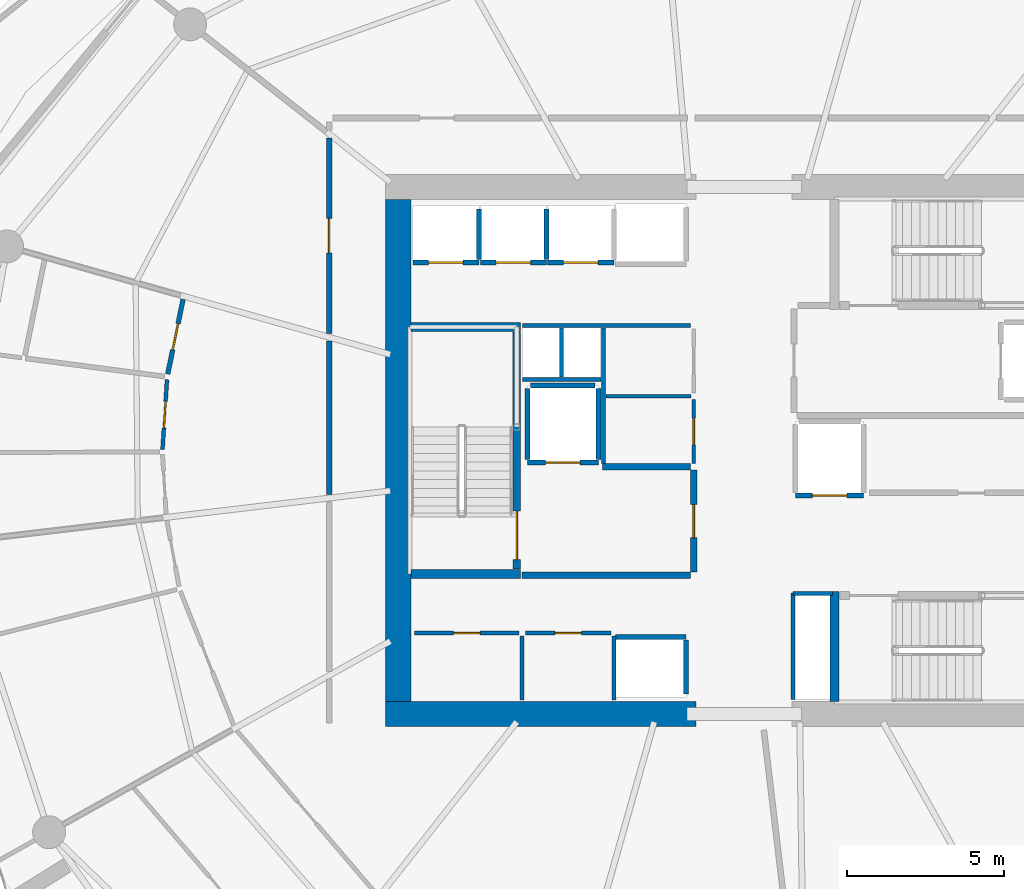
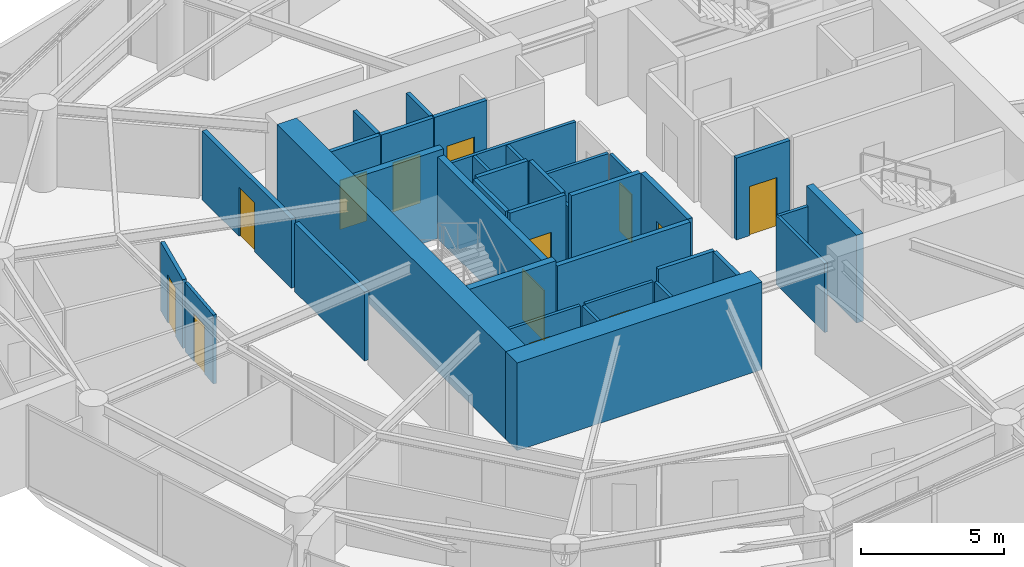
# One storey, part 12 of 20: 37 walls, 13 doors, 13 openings.
"""IFC4 building model written with IfcOpenShell, lengths in metres."""

from ifc_helpers import new_model, si_unit, direction, frame, frame_2d, origin, place, context, subcontext, project, spatial, rectangle, extrude, material, layer, layer_set, type_object, element, fill, save


model = new_model("IFC4")

# Units and contexts
model_context = context("Model", 3, precision=1e-05, world=origin(), true_north=direction((0.0, 1.0)))
body_context = subcontext(model_context, "Body", "Model", "MODEL_VIEW")
ifc_project = project(units=[si_unit("LENGTHUNIT", "METRE"), si_unit("AREAUNIT", "SQUARE_METRE"), si_unit("VOLUMEUNIT", "CUBIC_METRE"), si_unit("PLANEANGLEUNIT", "RADIAN"), si_unit("MASSUNIT", "GRAM", prefix="KILO")], contexts=[model_context])

# Site, building, storey
site_placement = place(None, origin())
site = spatial("IfcSite", under=ifc_project, at=site_placement, CompositionType="ELEMENT")
building_placement = place(site_placement, origin())
building = spatial("IfcBuilding", under=site, at=building_placement, Name="Kazma Halo Residences", CompositionType="ELEMENT")
storey_placement = place(building_placement, frame((0.0, 0.0, 142.800048828125)))
storey = spatial("IfcBuildingStorey", under=building, at=storey_placement, Name="L35", CompositionType="ELEMENT", Elevation=142.800048828125)

# Walls
ifc_material_1 = material(Name="Concrete C80/95", Category="concrete")
ifc_layer_1 = layer(ifc_material_1, 0.800048828125)
ifc_layer_set_1 = layer_set([ifc_layer_1], Name="Concrete C80/95")
wall_type_1 = type_object("IfcWallType", Name="WL-CORE-800", PredefinedType="SHEAR", material=ifc_layer_set_1)
wall_1_placement = place(storey_placement, frame((37.0, 33.60009765625, 0.0), z_axis=(0.0, 0.0, 1.0), x_axis=(1.0, 0.0, 0.0)))
element("IfcWall", 1, at=wall_1_placement, inside=storey, type_object=wall_type_1, Name="L35 central core shear wall SW", PredefinedType="SHEAR", context=body_context, shape_type="SweptSolid", body=[
    extrude(rectangle(XDim=9.89990234375, YDim=0.800048828125, at=frame_2d((4.949951171875, 0.0))), origin(), (0.0, 0.0, 1.0), 3.75),
])
wall_2_placement = place(storey_placement, frame((37.39990234375, 34.0, 0.0), z_axis=(0.0, 0.0, 1.0), x_axis=(0.0, 1.0, 0.0)))
element("IfcWall", 2, at=wall_2_placement, inside=storey, type_object=wall_type_1, Name="L35 central core shear wall W", PredefinedType="SHEAR", context=body_context, shape_type="SweptSolid", body=[
    extrude(rectangle(XDim=16.0, YDim=0.800048828125, at=frame_2d((8.0, 0.0))), origin(), (0.0, 0.0, 1.0), 3.75),
])
ifc_material_2 = material(Name="Concrete C60/75", Category="concrete")
ifc_layer_2 = layer(ifc_material_2, 0.280029296875)
ifc_layer_set_2 = layer_set([ifc_layer_2], Name="Concrete C60/75")
wall_type_2 = type_object("IfcWallType", Name="WL-CORE-ST-280", PredefinedType="SHEAR", material=ifc_layer_set_2)
for number, where, z_axis, x_axis, name in (
    (3, (37.800048828125, 38.06005859375, 0.0), (0.0, 0.0, 1.0), (1.0, 0.0, 0.0), "L35 stairwell bearing wall ST01-S"),
    (4, (37.800048828125, 45.93994140625, 0.0), (0.0, 0.0, 1.0), (1.0, 0.0, 0.0), "L35 stairwell bearing wall ST01-N"),
    (5, (51.31005859375, 34.0, 0.0), (0.0, 0.0, 1.0), (0.0, 1.0, 0.0), "L35 stairwell bearing wall ST03-W"),
):
    element("IfcWall", number, at=place(storey_placement, frame(where, z_axis=z_axis, x_axis=x_axis)), inside=storey, type_object=wall_type_2, Name=name, PredefinedType="SHEAR", context=body_context, shape_type="SweptSolid", body=[
        extrude(rectangle(XDim=3.5, YDim=0.280029296875, at=frame_2d((1.75, 0.0))), origin(), (0.0, 0.0, 1.0), 3.75),
    ])

# Wall, opening, door
ifc_material_3 = material(Name="Acoustic Twin-Stud Gypsum")
ifc_layer_3 = layer(ifc_material_3, 0.179931640625)
ifc_layer_set_3 = layer_set([ifc_layer_3], Name="Acoustic Twin-Stud Gypsum")
wall_type_3 = type_object("IfcWallType", Name="WL-DEM-180", PredefinedType="PARTITIONING", material=ifc_layer_set_3)
wall_3_placement = place(storey_placement, frame((35.199951171875, 51.970703125, 0.0), z_axis=(0.0, 0.0, 1.0), x_axis=(0.0, -1.0, 0.0)))
wall_3 = element("IfcWall", 6, at=wall_3_placement, inside=storey, type_object=wall_type_3, Name="L35 Apartment 1 entrance corridor wall", PredefinedType="PARTITIONING", context=body_context, shape_type="SweptSolid", body=[
    extrude(rectangle(XDim=6.24072265625, YDim=0.179931640625, at=frame_2d((3.120361328125, 0.0))), origin(), (0.0, 0.0, 1.0), 2.93994140625),
])
opening_1_placement = place(wall_3_placement, frame((2.5703125, 0.0, 0.0)))
opening_1 = element("IfcOpeningElement", 7, at=opening_1_placement, cuts=wall_3, Name="Opening DA-1100", PredefinedType="OPENING", context=body_context, shape_type="SweptSolid", body=[
    extrude(rectangle(XDim=1.10009765625, YDim=2.10009765625, at=frame_2d((0.550048828125, 1.050048828125))), frame((0.0, 0.099853515625, 0.0), z_axis=(0.0, -1.0, 0.0), x_axis=(1.0, 0.0, 0.0)), (0.0, 0.0, 1.0), 0.199951171875),
])
ifc_material_4 = material(Name="Acoustic Walnut Fire Leaf")
door_type_1 = type_object("IfcDoorType", Name="DR-FD60-1100", OperationType="NOTDEFINED", PredefinedType="DOOR", material=ifc_material_4)
door_1_placement = place(opening_1_placement, origin())
door_1 = element("IfcDoor", 8, at=door_1_placement, inside=storey, type_object=door_type_1, Name="L35 Apartment 1 entrance fire door", OperationType="SINGLE_SWING_LEFT", OverallHeight=2.10009765625, OverallWidth=1.10009765625, PredefinedType="DOOR", context=body_context, shape_type="SweptSolid", body=[
    extrude(rectangle(XDim=1.10009765625, YDim=2.10009765625, at=frame_2d((0.550048828125, 1.050048828125))), frame((0.0, 0.02490234375, 0.0), z_axis=(0.0, -1.0, 0.0), x_axis=(1.0, 0.0, 0.0)), (0.0, 0.0, 1.0), 0.050048828125),
])
fill(opening_1, door_1)

# Wall
wall_4_placement = place(storey_placement, frame((35.199951171875, 45.489990234375, 0.0), z_axis=(0.0, 0.0, 1.0), x_axis=(0.0, -1.0, 0.0)))
element("IfcWall", 9, at=wall_4_placement, inside=storey, type_object=wall_type_3, Name="L35 Apartment 1 inner wall 6", PredefinedType="PARTITIONING", context=body_context, shape_type="SweptSolid", body=[
    extrude(rectangle(XDim=4.885009765625, YDim=0.179931640625, at=frame_2d((2.4423828125, 0.0))), origin(), (0.0, 0.0, 1.0), 2.93994140625),
])

# Wall, opening, door
ifc_material_5 = material(Name="Fire-Rated Blockwork Masonry", Category="masonry")
ifc_layer_4 = layer(ifc_material_5, 0.199951171875)
ifc_layer_set_4 = layer_set([ifc_layer_4], Name="Fire-Rated Blockwork Masonry")
wall_type_4 = type_object("IfcWallType", Name="WL-FLB-200", PredefinedType="PARTITIONING", material=ifc_layer_set_4)
wall_5_placement = place(storey_placement, frame((39.97509765625, 47.9951171875, 0.0), z_axis=(0.0, 0.0, 1.0), x_axis=(-1.0, 0.0, 0.0)))
wall_5 = element("IfcWall", 10, at=wall_5_placement, inside=storey, type_object=wall_type_4, Name="L35 lift shaft PM-01 front wall", PredefinedType="PARTITIONING", context=body_context, shape_type="SweptSolid", body=[
    extrude(rectangle(XDim=2.110107421875, YDim=0.159912109375, at=frame_2d((1.05517578125, 0.0))), origin(), (0.0, 0.0, 1.0), 3.5),
])
opening_2_placement = place(wall_5_placement, frame((0.5048828125, 0.0, 0.0)))
opening_2 = element("IfcOpeningElement", 11, at=opening_2_placement, cuts=wall_5, Name="Opening LD-PM-01", PredefinedType="OPENING", context=body_context, shape_type="SweptSolid", body=[
    extrude(rectangle(XDim=1.10009765625, YDim=2.10009765625, at=frame_2d((0.550048828125, 1.050048828125))), frame((0.0, 0.08984375, 0.0), z_axis=(0.0, -1.0, 0.0), x_axis=(1.0, 0.0, 0.0)), (0.0, 0.0, 1.0), 0.179931640625),
])
ifc_material_6 = material(Name="Stainless Steel Fire-Rated", Category="steel")
door_type_2 = type_object("IfcDoorType", Name="DR-LIFT-SLD-1100", OperationType="DOUBLE_DOOR_SLIDING", PredefinedType="DOOR", material=ifc_material_6)
door_2_placement = place(opening_2_placement, origin())
door_2 = element("IfcDoor", 12, at=door_2_placement, inside=storey, type_object=door_type_2, Name="L35 lift PM-01 sliding landing door", OperationType="DOUBLE_DOOR_SLIDING", OverallHeight=2.10009765625, OverallWidth=1.10009765625, PredefinedType="DOOR", context=body_context, shape_type="SweptSolid", body=[
    extrude(rectangle(XDim=1.10009765625, YDim=2.10009765625, at=frame_2d((0.550048828125, 1.050048828125))), frame((0.0, 0.02490234375, 0.0), z_axis=(0.0, -1.0, 0.0), x_axis=(1.0, 0.0, 0.0)), (0.0, 0.0, 1.0), 0.050048828125),
])
fill(opening_2, door_2)

# Wall
wall_6_placement = place(storey_placement, frame((39.97509765625, 48.094970703125, 0.0), z_axis=(0.0, 0.0, 1.0), x_axis=(0.0, 1.0, 0.0)))
element("IfcWall", 13, at=wall_6_placement, inside=storey, type_object=wall_type_4, Name="L35 lift shaft PM-01 side wall E", PredefinedType="PARTITIONING", context=body_context, shape_type="SweptSolid", body=[
    extrude(rectangle(XDim=1.610107421875, YDim=0.159912109375, at=frame_2d((0.80517578125, 0.0))), origin(), (0.0, 0.0, 1.0), 3.5),
])

# Wall, opening, door
wall_7_placement = place(storey_placement, frame((42.125, 47.9951171875, 0.0), z_axis=(0.0, 0.0, 1.0), x_axis=(-1.0, 0.0, 0.0)))
wall_7 = element("IfcWall", 14, at=wall_7_placement, inside=storey, type_object=wall_type_4, Name="L35 lift shaft PM-02 front wall", PredefinedType="PARTITIONING", context=body_context, shape_type="SweptSolid", body=[
    extrude(rectangle(XDim=2.110107421875, YDim=0.159912109375, at=frame_2d((1.05517578125, 0.0))), origin(), (0.0, 0.0, 1.0), 3.5),
])
opening_3_placement = place(wall_7_placement, frame((0.5048828125, 0.0, 0.0)))
opening_3 = element("IfcOpeningElement", 15, at=opening_3_placement, cuts=wall_7, Name="Opening LD-PM-02", PredefinedType="OPENING", context=body_context, shape_type="SweptSolid", body=[
    extrude(rectangle(XDim=1.10009765625, YDim=2.10009765625, at=frame_2d((0.550048828125, 1.050048828125))), frame((0.0, 0.08984375, 0.0), z_axis=(0.0, -1.0, 0.0), x_axis=(1.0, 0.0, 0.0)), (0.0, 0.0, 1.0), 0.179931640625),
])
door_3_placement = place(opening_3_placement, origin())
door_3 = element("IfcDoor", 16, at=door_3_placement, inside=storey, type_object=door_type_2, Name="L35 lift PM-02 sliding landing door", OperationType="DOUBLE_DOOR_SLIDING", OverallHeight=2.10009765625, OverallWidth=1.10009765625, PredefinedType="DOOR", context=body_context, shape_type="SweptSolid", body=[
    extrude(rectangle(XDim=1.10009765625, YDim=2.10009765625, at=frame_2d((0.550048828125, 1.050048828125))), frame((0.0, 0.02490234375, 0.0), z_axis=(0.0, -1.0, 0.0), x_axis=(1.0, 0.0, 0.0)), (0.0, 0.0, 1.0), 0.050048828125),
])
fill(opening_3, door_3)

# Wall
wall_8_placement = place(storey_placement, frame((42.125, 48.094970703125, 0.0), z_axis=(0.0, 0.0, 1.0), x_axis=(0.0, 1.0, 0.0)))
element("IfcWall", 17, at=wall_8_placement, inside=storey, type_object=wall_type_4, Name="L35 lift shaft PM-02 side wall E", PredefinedType="PARTITIONING", context=body_context, shape_type="SweptSolid", body=[
    extrude(rectangle(XDim=1.610107421875, YDim=0.159912109375, at=frame_2d((0.80517578125, 0.0))), origin(), (0.0, 0.0, 1.0), 3.5),
])

# Wall, opening, door
wall_9_placement = place(storey_placement, frame((44.27490234375, 47.9951171875, 0.0), z_axis=(0.0, 0.0, 1.0), x_axis=(-1.0, 0.0, 0.0)))
wall_9 = element("IfcWall", 18, at=wall_9_placement, inside=storey, type_object=wall_type_4, Name="L35 lift shaft PM-03 front wall", PredefinedType="PARTITIONING", context=body_context, shape_type="SweptSolid", body=[
    extrude(rectangle(XDim=2.10986328125, YDim=0.159912109375, at=frame_2d((1.054931640625, 0.0))), origin(), (0.0, 0.0, 1.0), 3.5),
])
opening_4_placement = place(wall_9_placement, frame((0.5048828125, 0.0, 0.0)))
opening_4 = element("IfcOpeningElement", 19, at=opening_4_placement, cuts=wall_9, Name="Opening LD-PM-03", PredefinedType="OPENING", context=body_context, shape_type="SweptSolid", body=[
    extrude(rectangle(XDim=1.10009765625, YDim=2.10009765625, at=frame_2d((0.550048828125, 1.050048828125))), frame((0.0, 0.08984375, 0.0), z_axis=(0.0, -1.0, 0.0), x_axis=(1.0, 0.0, 0.0)), (0.0, 0.0, 1.0), 0.179931640625),
])
door_4_placement = place(opening_4_placement, origin())
door_4 = element("IfcDoor", 20, at=door_4_placement, inside=storey, type_object=door_type_2, Name="L35 lift PM-03 sliding landing door", OperationType="DOUBLE_DOOR_SLIDING", OverallHeight=2.10009765625, OverallWidth=1.10009765625, PredefinedType="DOOR", context=body_context, shape_type="SweptSolid", body=[
    extrude(rectangle(XDim=1.10009765625, YDim=2.10009765625, at=frame_2d((0.550048828125, 1.050048828125))), frame((0.0, 0.02490234375, 0.0), z_axis=(0.0, -1.0, 0.0), x_axis=(1.0, 0.0, 0.0)), (0.0, 0.0, 1.0), 0.050048828125),
])
fill(opening_4, door_4)

# Walls
wall_10_placement = place(storey_placement, frame((44.320068359375, 36.054931640625, 0.0), z_axis=(0.0, 0.0, 1.0), x_axis=(1.0, 0.0, 0.0)))
element("IfcWall", 21, at=wall_10_placement, inside=storey, type_object=wall_type_4, Name="L35 lift shaft PX-02 front wall", PredefinedType="PARTITIONING", context=body_context, shape_type="SweptSolid", body=[
    extrude(rectangle(XDim=2.260009765625, YDim=0.159912109375, at=frame_2d((1.1298828125, 0.0))), origin(), (0.0, 0.0, 1.0), 3.5),
])
wall_11_placement = place(storey_placement, frame((46.580078125, 34.2451171875, 0.0), z_axis=(0.0, 0.0, 1.0), x_axis=(0.0, 1.0, 0.0)))
element("IfcWall", 22, at=wall_11_placement, inside=storey, type_object=wall_type_4, Name="L35 lift shaft PX-02 side wall E", PredefinedType="PARTITIONING", context=body_context, shape_type="SweptSolid", body=[
    extrude(rectangle(XDim=1.7099609375, YDim=0.159912109375, at=frame_2d((0.85498046875, 0.0))), origin(), (0.0, 0.0, 1.0), 3.5),
])

# Wall, opening, door
wall_12_placement = place(storey_placement, frame((43.780029296875, 41.6201171875, 0.0), z_axis=(0.0, 0.0, 1.0), x_axis=(-1.0, 0.0, 0.0)))
wall_12 = element("IfcWall", 23, at=wall_12_placement, inside=storey, type_object=wall_type_4, Name="L35 lift shaft FL-01 front wall", PredefinedType="PARTITIONING", context=body_context, shape_type="SweptSolid", body=[
    extrude(rectangle(XDim=2.260009765625, YDim=0.159912109375, at=frame_2d((1.1298828125, 0.0))), origin(), (0.0, 0.0, 1.0), 3.5),
])
opening_5_placement = place(wall_12_placement, frame((0.580078125, 0.0, 0.0)))
opening_5 = element("IfcOpeningElement", 24, at=opening_5_placement, cuts=wall_12, Name="Opening LD-FL-01", PredefinedType="OPENING", context=body_context, shape_type="SweptSolid", body=[
    extrude(rectangle(XDim=1.10009765625, YDim=2.10009765625, at=frame_2d((0.550048828125, 1.050048828125))), frame((0.0, 0.08984375, 0.0), z_axis=(0.0, -1.0, 0.0), x_axis=(1.0, 0.0, 0.0)), (0.0, 0.0, 1.0), 0.179931640625),
])
door_5_placement = place(opening_5_placement, origin())
door_5 = element("IfcDoor", 25, at=door_5_placement, inside=storey, type_object=door_type_2, Name="L35 lift FL-01 sliding landing door", OperationType="DOUBLE_DOOR_SLIDING", OverallHeight=2.10009765625, OverallWidth=1.10009765625, PredefinedType="DOOR", context=body_context, shape_type="SweptSolid", body=[
    extrude(rectangle(XDim=1.10009765625, YDim=2.10009765625, at=frame_2d((0.550048828125, 1.050048828125))), frame((0.0, 0.02490234375, 0.0), z_axis=(0.0, -1.0, 0.0), x_axis=(1.0, 0.0, 0.0)), (0.0, 0.0, 1.0), 0.050048828125),
])
fill(opening_5, door_5)

# Walls
for number, where, z_axis, x_axis, name in (
    (26, (43.780029296875, 41.719970703125, 0.0), (0.0, 0.0, 1.0), (0.0, 1.0, 0.0), "L35 lift shaft FL-01 side wall E"),
    (27, (41.52001953125, 41.719970703125, 0.0), (0.0, 0.0, 1.0), (0.0, 1.0, 0.0), "L35 lift shaft FL-01 side wall W"),
):
    element("IfcWall", number, at=place(storey_placement, frame(where, z_axis=z_axis, x_axis=x_axis)), inside=storey, type_object=wall_type_4, Name=name, PredefinedType="PARTITIONING", context=body_context, shape_type="SweptSolid", body=[
        extrude(rectangle(XDim=2.260009765625, YDim=0.159912109375, at=frame_2d((1.1298828125, 0.0))), origin(), (0.0, 0.0, 1.0), 3.5),
    ])
wall_13_placement = place(storey_placement, frame((41.6201171875, 44.080078125, 0.0), z_axis=(0.0, 0.0, 1.0), x_axis=(1.0, 0.0, 0.0)))
element("IfcWall", 28, at=wall_13_placement, inside=storey, type_object=wall_type_4, Name="L35 lift shaft FL-01 side wall N", PredefinedType="PARTITIONING", context=body_context, shape_type="SweptSolid", body=[
    extrude(rectangle(XDim=2.059814453125, YDim=0.159912109375, at=frame_2d((1.02978515625, 0.0))), origin(), (0.0, 0.0, 1.0), 3.5),
])

# Wall, opening, door
wall_14_placement = place(storey_placement, frame((52.22998046875, 40.570068359375, 0.0), z_axis=(0.0, 0.0, 1.0), x_axis=(-1.0, 0.0, 0.0)))
wall_14 = element("IfcWall", 29, at=wall_14_placement, inside=storey, type_object=wall_type_4, Name="L35 lift shaft SV-01 front wall", PredefinedType="PARTITIONING", context=body_context, shape_type="SweptSolid", body=[
    extrude(rectangle(XDim=2.159912109375, YDim=0.159912109375, at=frame_2d((1.080078125, 0.0))), origin(), (0.0, 0.0, 1.0), 3.5),
])
opening_6_placement = place(wall_14_placement, frame((0.530029296875, 0.0, 0.0)))
opening_6 = element("IfcOpeningElement", 30, at=opening_6_placement, cuts=wall_14, Name="Opening LD-SV-01", PredefinedType="OPENING", context=body_context, shape_type="SweptSolid", body=[
    extrude(rectangle(XDim=1.10009765625, YDim=2.10009765625, at=frame_2d((0.550048828125, 1.050048828125))), frame((0.0, 0.08984375, 0.0), z_axis=(0.0, -1.0, 0.0), x_axis=(1.0, 0.0, 0.0)), (0.0, 0.0, 1.0), 0.179931640625),
])
door_6_placement = place(opening_6_placement, origin())
door_6 = element("IfcDoor", 31, at=door_6_placement, inside=storey, type_object=door_type_2, Name="L35 lift SV-01 sliding landing door", OperationType="DOUBLE_DOOR_SLIDING", OverallHeight=2.10009765625, OverallWidth=1.10009765625, PredefinedType="DOOR", context=body_context, shape_type="SweptSolid", body=[
    extrude(rectangle(XDim=1.10009765625, YDim=2.10009765625, at=frame_2d((0.550048828125, 1.050048828125))), frame((0.0, 0.02490234375, 0.0), z_axis=(0.0, -1.0, 0.0), x_axis=(1.0, 0.0, 0.0)), (0.0, 0.0, 1.0), 0.050048828125),
])
fill(opening_6, door_6)

# Walls
wall_15_placement = place(storey_placement, frame((41.35009765625, 38.02001953125, 0.0), z_axis=(0.0, 0.0, 1.0), x_axis=(1.0, 0.0, 0.0)))
element("IfcWall", 32, at=wall_15_placement, inside=storey, type_object=wall_type_4, Name="L35 west firefighting lobby south smoke wall", PredefinedType="PARTITIONING", context=body_context, shape_type="SweptSolid", body=[
    extrude(rectangle(XDim=5.369873046875, YDim=0.199951171875, at=frame_2d((2.68505859375, 0.0))), origin(), (0.0, 0.0, 1.0), 3.5),
])
wall_16_placement = place(storey_placement, frame((43.919921875, 41.47998046875, 0.0), z_axis=(0.0, 0.0, 1.0), x_axis=(1.0, 0.0, 0.0)))
element("IfcWall", 33, at=wall_16_placement, inside=storey, type_object=wall_type_4, Name="L35 west firefighting lobby north smoke wall", PredefinedType="PARTITIONING", context=body_context, shape_type="SweptSolid", body=[
    extrude(rectangle(XDim=2.800048828125, YDim=0.199951171875, at=frame_2d((1.39990234375, 0.0))), origin(), (0.0, 0.0, 1.0), 3.5),
])

# Wall, opening, door
wall_17_placement = place(storey_placement, frame((46.820068359375, 38.1201171875, 0.0), z_axis=(0.0, 0.0, 1.0), x_axis=(0.0, 1.0, 0.0)))
wall_17 = element("IfcWall", 34, at=wall_17_placement, inside=storey, type_object=wall_type_4, Name="L35 west firefighting lobby smoke wall", PredefinedType="PARTITIONING", context=body_context, shape_type="SweptSolid", body=[
    extrude(rectangle(XDim=3.259765625, YDim=0.199951171875, at=frame_2d((1.6298828125, 0.0))), origin(), (0.0, 0.0, 1.0), 3.5),
])
opening_7_placement = place(wall_17_placement, frame((1.10498046875, 0.0, 0.0)))
opening_7 = element("IfcOpeningElement", 35, at=opening_7_placement, cuts=wall_17, Name="Opening D-FLW", PredefinedType="OPENING", context=body_context, shape_type="SweptSolid", body=[
    extrude(rectangle(XDim=1.050048828125, YDim=2.10009765625, at=frame_2d((0.52490234375, 1.050048828125))), frame((0.0, 0.10986328125, 0.0), z_axis=(0.0, -1.0, 0.0), x_axis=(1.0, 0.0, 0.0)), (0.0, 0.0, 1.0), 0.219970703125),
])
ifc_material_7 = material(Name="Fire-Rated Steel Leaf", Category="steel")
door_type_3 = type_object("IfcDoorType", Name="DR-FD90-1050", OperationType="NOTDEFINED", PredefinedType="DOOR", material=ifc_material_7)
door_7_placement = place(opening_7_placement, origin())
door_7 = element("IfcDoor", 36, at=door_7_placement, inside=storey, type_object=door_type_3, Name="L35 west firefighting lobby smoke door", OperationType="SINGLE_SWING_RIGHT", OverallHeight=2.10009765625, OverallWidth=1.050048828125, PredefinedType="DOOR", context=body_context, shape_type="SweptSolid", body=[
    extrude(rectangle(XDim=1.050048828125, YDim=2.10009765625, at=frame_2d((0.52490234375, 1.050048828125))), frame((0.0, 0.02490234375, 0.0), z_axis=(0.0, -1.0, 0.0), x_axis=(1.0, 0.0, 0.0)), (0.0, 0.0, 1.0), 0.050048828125),
])
fill(opening_7, door_7)

# Walls
ifc_material_8 = material(Name="Gypsum Plasterboard Partition")
ifc_layer_5 = layer(ifc_material_8, 0.125)
ifc_layer_set_5 = layer_set([ifc_layer_5], Name="Gypsum Plasterboard Partition")
wall_type_5 = type_object("IfcWallType", Name="WL-PART-125", PredefinedType="PARTITIONING", material=ifc_layer_set_5)
for number, where, z_axis, x_axis, name in (
    (37, (44.280029296875, 34.050048828125, 0.0), (0.0, 0.0, 1.0), (0.0, 1.0, 0.0), "L35 reclaimed south east wall"),
    (38, (41.35009765625, 34.050048828125, 0.0), (0.0, 0.0, 1.0), (0.0, 1.0, 0.0), "L35 reclaimed south divider wall"),
):
    element("IfcWall", number, at=place(storey_placement, frame(where, z_axis=z_axis, x_axis=x_axis)), inside=storey, type_object=wall_type_5, Name=name, PredefinedType="PARTITIONING", context=body_context, shape_type="SweptSolid", body=[
        extrude(rectangle(XDim=2.030029296875, YDim=0.125, at=frame_2d((1.01513671875, 0.0))), origin(), (0.0, 0.0, 1.0), 2.93994140625),
    ])

# Wall, opening, door
wall_18_placement = place(storey_placement, frame((37.919921875, 36.179931640625, 0.0), z_axis=(0.0, 0.0, 1.0), x_axis=(1.0, 0.0, 0.0)))
wall_18 = element("IfcWall", 39, at=wall_18_placement, inside=storey, type_object=wall_type_5, Name="L35 reclaimed south W front wall", PredefinedType="PARTITIONING", context=body_context, shape_type="SweptSolid", body=[
    extrude(rectangle(XDim=3.330078125, YDim=0.125, at=frame_2d((1.6650390625, 0.0))), origin(), (0.0, 0.0, 1.0), 2.93994140625),
])
opening_8_placement = place(wall_18_placement, frame((1.239990234375, 0.0, 0.0)))
opening_8 = element("IfcOpeningElement", 40, at=opening_8_placement, cuts=wall_18, Name="Opening DS-850", PredefinedType="OPENING", context=body_context, shape_type="SweptSolid", body=[
    extrude(rectangle(XDim=0.85009765625, YDim=2.06005859375, at=frame_2d((0.425048828125, 1.030029296875))), frame((0.0, 0.072509765625, 0.0), z_axis=(0.0, -1.0, 0.0), x_axis=(1.0, 0.0, 0.0)), (0.0, 0.0, 1.0), 0.14501953125),
])
ifc_material_9 = material(Name="Painted Steel Access Leaf", Category="steel")
door_type_4 = type_object("IfcDoorType", Name="DR-SVC-850", OperationType="NOTDEFINED", PredefinedType="DOOR", material=ifc_material_9)
door_8_placement = place(opening_8_placement, origin())
door_8 = element("IfcDoor", 41, at=door_8_placement, inside=storey, type_object=door_type_4, Name="L35 reclaimed south W door", OperationType="SINGLE_SWING_RIGHT", OverallHeight=2.06005859375, OverallWidth=0.85009765625, PredefinedType="DOOR", context=body_context, shape_type="SweptSolid", body=[
    extrude(rectangle(XDim=0.85009765625, YDim=2.06005859375, at=frame_2d((0.425048828125, 1.030029296875))), frame((0.0, 0.02490234375, 0.0), z_axis=(0.0, -1.0, 0.0), x_axis=(1.0, 0.0, 0.0)), (0.0, 0.0, 1.0), 0.050048828125),
])
fill(opening_8, door_8)

wall_19_placement = place(storey_placement, frame((41.449951171875, 36.179931640625, 0.0), z_axis=(0.0, 0.0, 1.0), x_axis=(1.0, 0.0, 0.0)))
wall_19 = element("IfcWall", 42, at=wall_19_placement, inside=storey, type_object=wall_type_5, Name="L35 reclaimed south E front wall", PredefinedType="PARTITIONING", context=body_context, shape_type="SweptSolid", body=[
    extrude(rectangle(XDim=2.72998046875, YDim=0.125, at=frame_2d((1.364990234375, 0.0))), origin(), (0.0, 0.0, 1.0), 2.93994140625),
])
opening_9_placement = place(wall_19_placement, frame((0.93994140625, 0.0, 0.0)))
opening_9 = element("IfcOpeningElement", 43, at=opening_9_placement, cuts=wall_19, Name="Opening DS-850", PredefinedType="OPENING", context=body_context, shape_type="SweptSolid", body=[
    extrude(rectangle(XDim=0.85009765625, YDim=2.06005859375, at=frame_2d((0.425048828125, 1.030029296875))), frame((0.0, 0.072509765625, 0.0), z_axis=(0.0, -1.0, 0.0), x_axis=(1.0, 0.0, 0.0)), (0.0, 0.0, 1.0), 0.14501953125),
])
door_9_placement = place(opening_9_placement, origin())
door_9 = element("IfcDoor", 44, at=door_9_placement, inside=storey, type_object=door_type_4, Name="L35 reclaimed south E door", OperationType="SINGLE_SWING_LEFT", OverallHeight=2.06005859375, OverallWidth=0.85009765625, PredefinedType="DOOR", context=body_context, shape_type="SweptSolid", body=[
    extrude(rectangle(XDim=0.85009765625, YDim=2.06005859375, at=frame_2d((0.425048828125, 1.030029296875))), frame((0.0, 0.02490234375, 0.0), z_axis=(0.0, -1.0, 0.0), x_axis=(1.0, 0.0, 0.0)), (0.0, 0.0, 1.0), 0.050048828125),
])
fill(opening_9, door_9)

# Walls
wall_20_placement = place(storey_placement, frame((41.360107421875, 45.97998046875, 0.0), z_axis=(0.0, 0.0, 1.0), x_axis=(1.0, 0.0, 0.0)))
element("IfcWall", 45, at=wall_20_placement, inside=storey, type_object=wall_type_5, Name="L35 core north riser wall", PredefinedType="PARTITIONING", context=body_context, shape_type="SweptSolid", body=[
    extrude(rectangle(XDim=5.35986328125, YDim=0.125, at=frame_2d((2.679931640625, 0.0))), origin(), (0.0, 0.0, 1.0), 2.93994140625),
])
wall_21_placement = place(storey_placement, frame((41.360107421875, 44.260009765625, 0.0), z_axis=(0.0, 0.0, 1.0), x_axis=(1.0, 0.0, 0.0)))
element("IfcWall", 46, at=wall_21_placement, inside=storey, type_object=wall_type_5, Name="L35 core riser south wall", PredefinedType="PARTITIONING", context=body_context, shape_type="SweptSolid", body=[
    extrude(rectangle(XDim=2.5, YDim=0.125, at=frame_2d((1.25, 0.0))), origin(), (0.0, 0.0, 1.0), 2.93994140625),
])
wall_22_placement = place(storey_placement, frame((42.60009765625, 44.35009765625, 0.0), z_axis=(0.0, 0.0, 1.0), x_axis=(0.0, 1.0, 0.0)))
element("IfcWall", 47, at=wall_22_placement, inside=storey, type_object=wall_type_5, Name="L35 core riser divider wall", PredefinedType="PARTITIONING", context=body_context, shape_type="SweptSolid", body=[
    extrude(rectangle(XDim=1.5498046875, YDim=0.125, at=frame_2d((0.77490234375, 0.0))), origin(), (0.0, 0.0, 1.0), 2.93994140625),
])
wall_23_placement = place(storey_placement, frame((49.97998046875, 34.06005859375, 0.0), z_axis=(0.0, 0.0, 1.0), x_axis=(0.0, 1.0, 0.0)))
element("IfcWall", 48, at=wall_23_placement, inside=storey, type_object=wall_type_5, Name="L35 standpipe riser wall", PredefinedType="PARTITIONING", context=body_context, shape_type="SweptSolid", body=[
    extrude(rectangle(XDim=3.39990234375, YDim=0.125, at=frame_2d((1.699951171875, 0.0))), origin(), (0.0, 0.0, 1.0), 2.93994140625),
])
wall_24_placement = place(storey_placement, frame((49.97998046875, 37.43994140625, 0.0), z_axis=(0.0, 0.0, 1.0), x_axis=(1.0, 0.0, 0.0)))
element("IfcWall", 49, at=wall_24_placement, inside=storey, type_object=wall_type_5, Name="L35 standpipe riser north wall", PredefinedType="PARTITIONING", context=body_context, shape_type="SweptSolid", body=[
    extrude(rectangle(XDim=1.260009765625, YDim=0.125, at=frame_2d((0.6298828125, 0.0))), origin(), (0.0, 0.0, 1.0), 2.93994140625),
])
wall_25_placement = place(storey_placement, frame((43.949951171875, 41.580078125, 0.0), z_axis=(0.0, 0.0, 1.0), x_axis=(0.0, 1.0, 0.0)))
element("IfcWall", 50, at=wall_25_placement, inside=storey, type_object=wall_type_5, Name="L35 core service west wall", PredefinedType="PARTITIONING", context=body_context, shape_type="SweptSolid", body=[
    extrude(rectangle(XDim=4.31982421875, YDim=0.125, at=frame_2d((2.159912109375, 0.0))), origin(), (0.0, 0.0, 1.0), 2.93994140625),
])
wall_26_placement = place(storey_placement, frame((44.030029296875, 43.72998046875, 0.0), z_axis=(0.0, 0.0, 1.0), x_axis=(1.0, 0.0, 0.0)))
element("IfcWall", 51, at=wall_26_placement, inside=storey, type_object=wall_type_5, Name="L35 switch/IDF divider", PredefinedType="PARTITIONING", context=body_context, shape_type="SweptSolid", body=[
    extrude(rectangle(XDim=2.7099609375, YDim=0.125, at=frame_2d((1.35498046875, 0.0))), origin(), (0.0, 0.0, 1.0), 2.93994140625),
])

# Wall, opening, door
wall_27_placement = place(storey_placement, frame((46.820068359375, 41.580078125, 0.0), z_axis=(0.0, 0.0, 1.0), x_axis=(0.0, 1.0, 0.0)))
wall_27 = element("IfcWall", 52, at=wall_27_placement, inside=storey, type_object=wall_type_5, Name="L35 electrical switch room east wall", PredefinedType="PARTITIONING", context=body_context, shape_type="SweptSolid", body=[
    extrude(rectangle(XDim=2.0498046875, YDim=0.125, at=frame_2d((1.02490234375, 0.0))), origin(), (0.0, 0.0, 1.0), 2.93994140625),
])
opening_10_placement = place(wall_27_placement, frame((0.60009765625, 0.0, 0.0)))
opening_10 = element("IfcOpeningElement", 53, at=opening_10_placement, cuts=wall_27, Name="Opening DS-850", PredefinedType="OPENING", context=body_context, shape_type="SweptSolid", body=[
    extrude(rectangle(XDim=0.85009765625, YDim=2.06005859375, at=frame_2d((0.425048828125, 1.030029296875))), frame((0.0, 0.072509765625, 0.0), z_axis=(0.0, -1.0, 0.0), x_axis=(1.0, 0.0, 0.0)), (0.0, 0.0, 1.0), 0.14501953125),
])
door_10_placement = place(opening_10_placement, origin())
door_10 = element("IfcDoor", 54, at=door_10_placement, inside=storey, type_object=door_type_4, Name="L35 electrical switch room door", OperationType="SINGLE_SWING_RIGHT", OverallHeight=2.06005859375, OverallWidth=0.85009765625, PredefinedType="DOOR", context=body_context, shape_type="SweptSolid", body=[
    extrude(rectangle(XDim=0.85009765625, YDim=2.06005859375, at=frame_2d((0.425048828125, 1.030029296875))), frame((0.0, 0.02490234375, 0.0), z_axis=(0.0, -1.0, 0.0), x_axis=(1.0, 0.0, 0.0)), (0.0, 0.0, 1.0), 0.050048828125),
])
fill(opening_10, door_10)

wall_28_placement = place(storey_placement, frame((30.0283203125, 44.2587890625, 0.0), z_axis=(0.0, 0.0, 1.0), x_axis=(-0.063707112834, -0.997968638673, 0.0)))
wall_28 = element("IfcWall", 55, at=wall_28_placement, inside=storey, type_object=wall_type_5, Name="L35 Apartment 1 Gourmet Kitchen hall wall", PredefinedType="PARTITIONING", context=body_context, shape_type="SweptSolid", body=[
    extrude(rectangle(XDim=2.23046875, YDim=0.125, at=frame_2d((1.115234375, 0.0))), origin(), (0.0, 0.0, 1.0), 2.93994140625),
])
opening_11_placement = place(wall_28_placement, frame((0.690185546875, 0.0, 0.0)))
opening_11 = element("IfcOpeningElement", 56, at=opening_11_placement, cuts=wall_28, Name="Opening DB-900", PredefinedType="OPENING", context=body_context, shape_type="SweptSolid", body=[
    extrude(rectangle(XDim=0.85009765625, YDim=2.06005859375, at=frame_2d((0.425048828125, 1.030029296875))), frame((0.0, 0.072509765625, 0.0), z_axis=(0.0, -1.0, 0.0), x_axis=(1.0, 0.0, 0.0)), (0.0, 0.0, 1.0), 0.14501953125),
])
ifc_material_10 = material(Name="Moisture-Sealed Timber Leaf", Category="wood")
door_type_5 = type_object("IfcDoorType", Name="DR-BTH-900", OperationType="NOTDEFINED", PredefinedType="DOOR", material=ifc_material_10)
door_11_placement = place(opening_11_placement, origin())
door_11 = element("IfcDoor", 57, at=door_11_placement, inside=storey, type_object=door_type_5, Name="L35 Apartment 1 Gourmet Kitchen door", OperationType="SINGLE_SWING_RIGHT", OverallHeight=2.06005859375, OverallWidth=0.85009765625, PredefinedType="DOOR", context=body_context, shape_type="SweptSolid", body=[
    extrude(rectangle(XDim=0.85009765625, YDim=2.06005859375, at=frame_2d((0.425048828125, 1.030029296875))), frame((0.0, 0.02490234375, 0.0), z_axis=(0.0, -1.0, 0.0), x_axis=(1.0, 0.0, 0.0)), (0.0, 0.0, 1.0), 0.050048828125),
])
fill(opening_11, door_11)

ifc_material_11 = material(Name="Concrete C50/60", Category="concrete")
ifc_layer_6 = layer(ifc_material_11, 0.25)
ifc_layer_set_6 = layer_set([ifc_layer_6], Name="Concrete C50/60")
wall_type_6 = type_object("IfcWallType", Name="WL-SHF-250", PredefinedType="SOLIDWALL", material=ifc_layer_set_6)
wall_29_placement = place(storey_placement, frame((41.179931640625, 38.219970703125, 0.0), z_axis=(0.0, 0.0, 1.0), x_axis=(0.0, 1.0, 0.0)))
wall_29 = element("IfcWall", 58, at=wall_29_placement, inside=storey, type_object=wall_type_6, Name="L35 exit stair ST-01 enclosure wall", PredefinedType="SOLIDWALL", context=body_context, shape_type="SweptSolid", body=[
    extrude(rectangle(XDim=7.56005859375, YDim=0.25, at=frame_2d((3.780029296875, 0.0))), origin(), (0.0, 0.0, 1.0), 3.5),
])
opening_12_placement = place(wall_29_placement, frame((0.300048828125, 0.0, 0.0)))
opening_12 = element("IfcOpeningElement", 59, at=opening_12_placement, cuts=wall_29, Name="Opening D-ST1", PredefinedType="OPENING", context=body_context, shape_type="SweptSolid", body=[
    extrude(rectangle(XDim=1.550048828125, YDim=2.14990234375, at=frame_2d((0.77490234375, 1.074951171875))), frame((0.0, 0.135009765625, 0.0), z_axis=(0.0, -1.0, 0.0), x_axis=(1.0, 0.0, 0.0)), (0.0, 0.0, 1.0), 0.27001953125),
])
ifc_material_12 = material(Name="Fire-Rated Double Steel Leaf", Category="steel")
door_type_6 = type_object("IfcDoorType", Name="DR-FD90-1550", OperationType="NOTDEFINED", PredefinedType="DOOR", material=ifc_material_12)
door_12_placement = place(opening_12_placement, origin())
door_12 = element("IfcDoor", 60, at=door_12_placement, inside=storey, type_object=door_type_6, Name="L35 exit stair ST-01 fire door", OperationType="DOUBLE_DOOR_SINGLE_SWING", OverallHeight=2.14990234375, OverallWidth=1.550048828125, PredefinedType="DOOR", context=body_context, shape_type="SweptSolid", body=[
    extrude(rectangle(XDim=1.550048828125, YDim=2.14990234375, at=frame_2d((0.77490234375, 1.074951171875))), frame((0.0, 0.02490234375, 0.0), z_axis=(0.0, -1.0, 0.0), x_axis=(1.0, 0.0, 0.0)), (0.0, 0.0, 1.0), 0.050048828125),
])
fill(opening_12, door_12)

ifc_material_13 = material(Name="Moisture-Resistant Gypsum")
ifc_layer_7 = layer(ifc_material_13, 0.14990234375)
ifc_layer_set_7 = layer_set([ifc_layer_7], Name="Moisture-Resistant Gypsum")
wall_type_7 = type_object("IfcWallType", Name="WL-WET-150", PredefinedType="PARTITIONING", material=ifc_layer_set_7)
wall_30_placement = place(storey_placement, frame((30.541259765625, 46.8203125, 0.0), z_axis=(0.0, 0.0, 1.0), x_axis=(-0.201072520907, -0.979576358094, 0.0)))
wall_30 = element("IfcWall", 61, at=wall_30_placement, inside=storey, type_object=wall_type_7, Name="L35 Apartment 1 Guest Bathroom hall wall", PredefinedType="PARTITIONING", context=body_context, shape_type="SweptSolid", body=[
    extrude(rectangle(XDim=2.433349609375, YDim=0.14990234375, at=frame_2d((1.216796875, 0.0))), origin(), (0.0, 0.0, 1.0), 2.93994140625),
])
opening_13_placement = place(wall_30_placement, frame((0.79150390625, 0.0, 0.0)))
opening_13 = element("IfcOpeningElement", 62, at=opening_13_placement, cuts=wall_30, Name="Opening DB-900", PredefinedType="OPENING", context=body_context, shape_type="SweptSolid", body=[
    extrude(rectangle(XDim=0.85009765625, YDim=2.06005859375, at=frame_2d((0.425048828125, 1.030029296875))), frame((0.0, 0.0849609375, 0.0), z_axis=(0.0, -1.0, 0.0), x_axis=(1.0, 0.0, 0.0)), (0.0, 0.0, 1.0), 0.169921875),
])
door_13_placement = place(opening_13_placement, origin())
door_13 = element("IfcDoor", 63, at=door_13_placement, inside=storey, type_object=door_type_5, Name="L35 Apartment 1 Guest Bathroom door", OperationType="SINGLE_SWING_RIGHT", OverallHeight=2.06005859375, OverallWidth=0.85009765625, PredefinedType="DOOR", context=body_context, shape_type="SweptSolid", body=[
    extrude(rectangle(XDim=0.85009765625, YDim=2.06005859375, at=frame_2d((0.425048828125, 1.030029296875))), frame((0.0, 0.02490234375, 0.0), z_axis=(0.0, -1.0, 0.0), x_axis=(1.0, 0.0, 0.0)), (0.0, 0.0, 1.0), 0.050048828125),
])
fill(opening_13, door_13)

save(model, "model.ifc")
